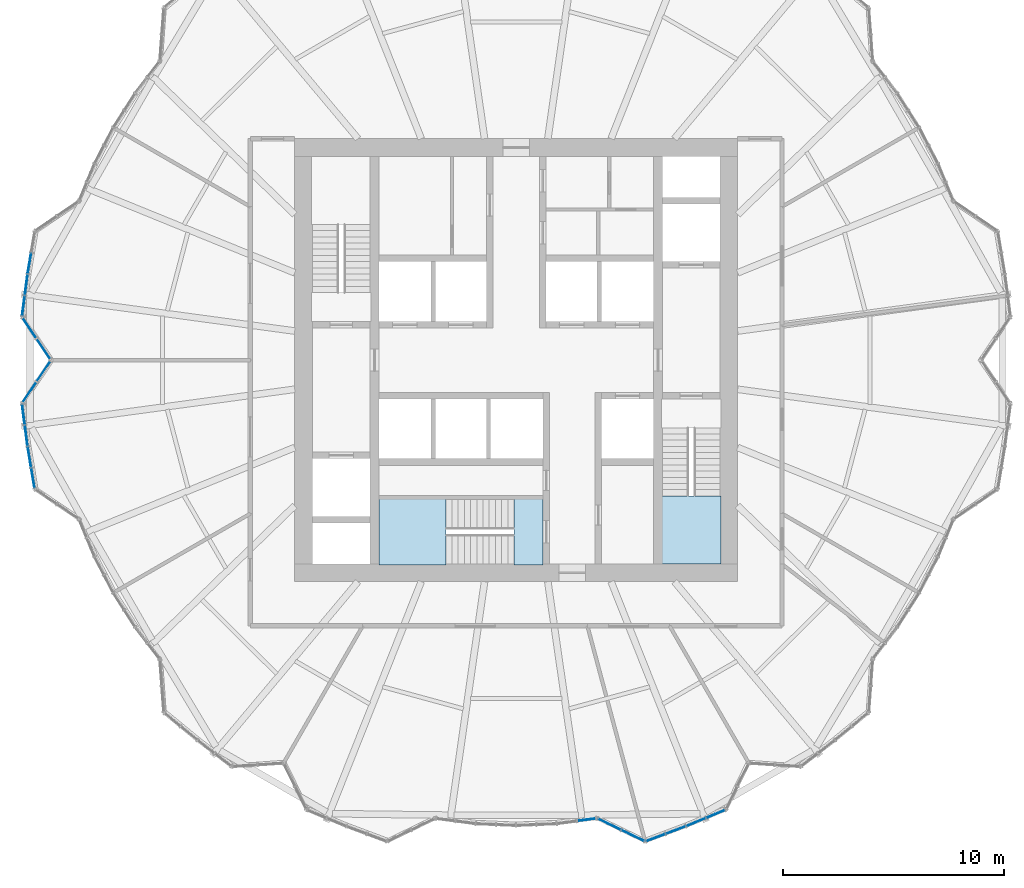
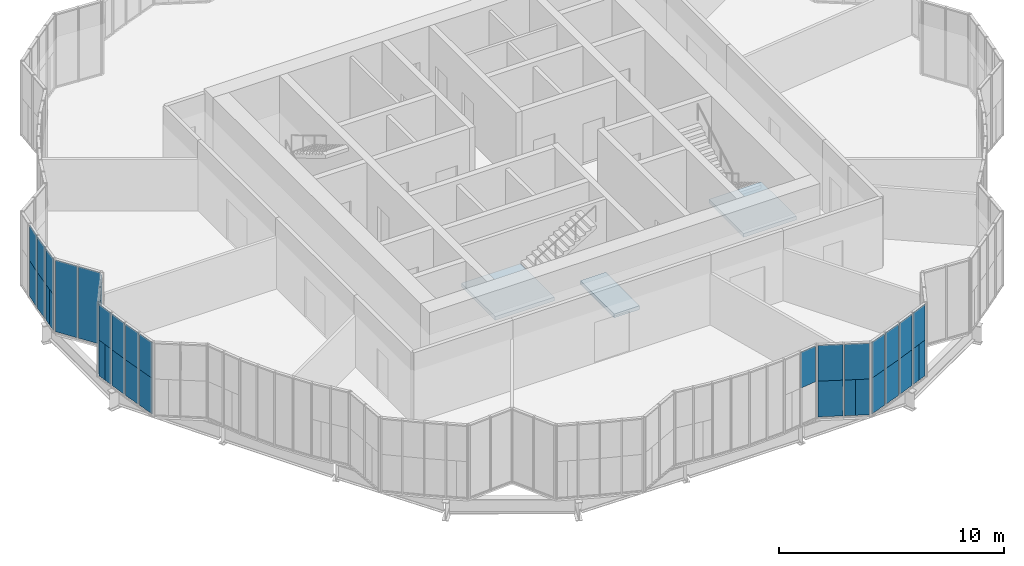
# One storey, part 13 of 22: 35 plates, 3 slabs, 12 elements without a shape of their own.
"""IFC4 building model written with IfcOpenShell, lengths in metres."""

from ifc_helpers import new_model, si_unit, direction, frame, origin, origin_2d, place, context, subcontext, project, spatial, polyline, rectangle, outline, extrude, material, layer, layer_set, type_object, element, aggregate, save


model = new_model("IFC4")

# Units and contexts
model_context = context("Model", 3, precision=1e-05, world=origin(), true_north=direction((0.0, 1.0)))
body_context = subcontext(model_context, "Body", "Model", "MODEL_VIEW")
ifc_project = project(units=[si_unit("LENGTHUNIT", "METRE"), si_unit("AREAUNIT", "SQUARE_METRE"), si_unit("VOLUMEUNIT", "CUBIC_METRE"), si_unit("PLANEANGLEUNIT", "RADIAN"), si_unit("MASSUNIT", "GRAM", prefix="KILO")], contexts=[model_context])

# Site, building, storey
site_placement = place(None, origin())
site = spatial("IfcSite", under=ifc_project, at=site_placement, CompositionType="ELEMENT")
building_placement = place(site_placement, origin())
building = spatial("IfcBuilding", under=site, at=building_placement, Name="Golbaran Civic Tower", CompositionType="ELEMENT")
storey_placement = place(building_placement, frame((0.0, 0.0, 29.0)))
storey = spatial("IfcBuildingStorey", under=building, at=storey_placement, Name="L06", CompositionType="ELEMENT", Elevation=29.0)

# Curtain wall, plates
ifc_material_1 = material(Name="Aluminium and glass", Category="aluminium")
curtain_wall_type = type_object("IfcCurtainWallType", Name="INNER SKIN CURTAIN WALL", PredefinedType="NOTDEFINED", material=ifc_material_1)
curtain_wall_1_placement = place(storey_placement, origin())
curtain_wall_1 = element("IfcCurtainWall", 1, at=curtain_wall_1_placement, inside=storey, type_object=curtain_wall_type, Name="Inner skin L06 facet 35 CW1", ObjectType="INNER SKIN", PredefinedType="USERDEFINED")
ifc_material_2 = material(Name="Clear insulating glass", Category="glass")
ifc_layer_1 = layer(ifc_material_2, 0.031982421875, Name="Clear insulating glass")
ifc_layer_set_1 = layer_set([ifc_layer_1], Name="Clear insulating glass")
plate_type_1 = type_object("IfcPlateType", Name="INNER SKIN CURTAIN WALL GLAZED PANEL", PredefinedType="CURTAIN_PANEL", material=ifc_layer_set_1)
plate_1_placement = place(storey_placement, frame((-22.275146484375, 2.2373046875, 0.06494140625), z_axis=(0.0, 0.0, 1.0), x_axis=(-0.130526192289, -0.991444861365, 0.0)))
plate_1 = element("IfcPlate", 2, at=plate_1_placement, type_object=plate_type_1, Name="CW1 panel 2.1 part 2", PredefinedType="CURTAIN_PANEL", context=body_context, shape_type="SweptSolid", body=[
    extrude(rectangle(XDim=0.445556640625, YDim=0.031982421875, at=origin_2d()), origin(), (0.0, 0.0, 1.0), 1.93505859375),
])
plate_2_placement = place(storey_placement, frame((-22.246826171875, 2.45263671875, 2.0), z_axis=(0.0, 0.0, 1.0), x_axis=(-0.130526192289, -0.991444861365, 0.0)))
plate_2 = element("IfcPlate", 3, at=plate_2_placement, type_object=plate_type_1, Name="CW1 panel 2.1 part 3", PredefinedType="CURTAIN_PANEL", context=body_context, shape_type="SweptSolid", body=[
    extrude(rectangle(XDim=0.87939453125, YDim=0.031982421875, at=origin_2d()), origin(), (0.0, 0.0, 1.0), 1.93505859375),
])

curtain_wall_2_placement = place(storey_placement, origin())
curtain_wall_2 = element("IfcCurtainWall", 4, at=curtain_wall_2_placement, inside=storey, type_object=curtain_wall_type, Name="Inner skin L06 facet 36 CW1", ObjectType="INNER SKIN", PredefinedType="USERDEFINED")
plate_3_placement = place(storey_placement, frame((-21.976806640625, 1.45068359375, 0.06494140625), z_axis=(0.0, 0.0, 1.0), x_axis=(0.556572485348, -0.830799054257, 0.0)))
plate_3 = element("IfcPlate", 5, at=plate_3_placement, type_object=plate_type_1, Name="CW1 panel 1.1", PredefinedType="CURTAIN_PANEL", context=body_context, shape_type="SweptSolid", body=[
    extrude(rectangle(XDim=1.077392578125, YDim=0.031982421875, at=origin_2d()), origin(), (0.0, 0.0, 1.0), 3.8701171875),
])
plate_4_placement = place(storey_placement, frame((-21.341064453125, 0.50146484375, 0.06494140625), z_axis=(0.0, 0.0, 1.0), x_axis=(0.556572485348, -0.830799054257, 0.0)))
plate_4 = element("IfcPlate", 6, at=plate_4_placement, type_object=plate_type_1, Name="CW1 panel 2.1", PredefinedType="CURTAIN_PANEL", context=body_context, shape_type="SweptSolid", body=[
    extrude(rectangle(XDim=1.077392578125, YDim=0.031982421875, at=origin_2d()), origin(), (0.0, 0.0, 1.0), 3.8701171875),
])
aggregate(curtain_wall_2, [plate_3, plate_4])

curtain_wall_3_placement = place(storey_placement, origin())
curtain_wall_3 = element("IfcCurtainWall", 7, at=curtain_wall_3_placement, inside=storey, type_object=curtain_wall_type, Name="Inner skin L06 facet 37 CW1", ObjectType="INNER SKIN", PredefinedType="USERDEFINED")
plate_5_placement = place(storey_placement, frame((-21.341064453125, -0.50146484375, 0.06494140625), z_axis=(0.0, 0.0, 1.0), x_axis=(-0.556572485348, -0.830799054257, 0.0)))
plate_5 = element("IfcPlate", 8, at=plate_5_placement, type_object=plate_type_1, Name="CW1 panel 1.1", PredefinedType="CURTAIN_PANEL", context=body_context, shape_type="SweptSolid", body=[
    extrude(rectangle(XDim=1.077392578125, YDim=0.031982421875, at=origin_2d()), origin(), (0.0, 0.0, 1.0), 3.8701171875),
])
plate_6_placement = place(storey_placement, frame((-21.976806640625, -1.45068359375, 0.06494140625), z_axis=(0.0, 0.0, 1.0), x_axis=(-0.556572485348, -0.830799054257, 0.0)))
plate_6 = element("IfcPlate", 9, at=plate_6_placement, type_object=plate_type_1, Name="CW1 panel 2.1", PredefinedType="CURTAIN_PANEL", context=body_context, shape_type="SweptSolid", body=[
    extrude(rectangle(XDim=1.077392578125, YDim=0.031982421875, at=origin_2d()), origin(), (0.0, 0.0, 1.0), 3.8701171875),
])
aggregate(curtain_wall_3, [plate_5, plate_6])

curtain_wall_4_placement = place(storey_placement, origin())
curtain_wall_4 = element("IfcCurtainWall", 10, at=curtain_wall_4_placement, inside=storey, type_object=curtain_wall_type, Name="Inner skin L06 facet 38 CW1", ObjectType="INNER SKIN", PredefinedType="USERDEFINED")
plate_7_placement = place(storey_placement, frame((-22.275146484375, -2.237060546875, 0.06494140625), z_axis=(0.0, 0.0, 1.0), x_axis=(0.130526192289, -0.991444861365, 0.0)))
plate_7 = element("IfcPlate", 11, at=plate_7_placement, type_object=plate_type_1, Name="CW1 panel 1.1 part 1", PredefinedType="CURTAIN_PANEL", context=body_context, shape_type="SweptSolid", body=[
    extrude(rectangle(XDim=0.445068359375, YDim=0.031982421875, at=origin_2d()), origin(), (0.0, 0.0, 1.0), 1.93505859375),
])
plate_8_placement = place(storey_placement, frame((-22.246826171875, -2.45263671875, 2.0), z_axis=(0.0, 0.0, 1.0), x_axis=(0.130526192289, -0.991444861365, 0.0)))
plate_8 = element("IfcPlate", 12, at=plate_8_placement, type_object=plate_type_1, Name="CW1 panel 1.1 part 3", PredefinedType="CURTAIN_PANEL", context=body_context, shape_type="SweptSolid", body=[
    extrude(rectangle(XDim=0.87939453125, YDim=0.031982421875, at=origin_2d()), origin(), (0.0, 0.0, 1.0), 1.93505859375),
])

# Curtain wall, plate
curtain_wall_5_placement = place(storey_placement, origin())
curtain_wall_5 = element("IfcCurtainWall", 13, at=curtain_wall_5_placement, inside=storey, type_object=curtain_wall_type, Name="Inner skin L06 facet 39 CW1", ObjectType="INNER SKIN", PredefinedType="USERDEFINED")
plate_9_placement = place(storey_placement, frame((-21.818603515625, -5.32421875, 0.06494140625), z_axis=(0.0, 0.0, 1.0), x_axis=(0.164414894066, -0.986391272574, 0.0)))
plate_9 = element("IfcPlate", 14, at=plate_9_placement, type_object=plate_type_1, Name="CW1 panel 2.1 part 1", PredefinedType="CURTAIN_PANEL", context=body_context, shape_type="SweptSolid", body=[
    extrude(rectangle(XDim=0.883056640625, YDim=0.031982421875, at=origin_2d()), origin(), (0.0, 0.0, 1.0), 1.93505859375),
])

curtain_wall_6_placement = place(storey_placement, origin())
curtain_wall_6 = element("IfcCurtainWall", 15, at=curtain_wall_6_placement, inside=storey, type_object=curtain_wall_type, Name="Inner skin L06 facet 57 CW1", ObjectType="INNER SKIN", PredefinedType="USERDEFINED")
plate_10_placement = place(storey_placement, frame((5.488525390625, -21.573486328125, 0.06494140625), z_axis=(0.0, 0.0, 1.0), x_axis=(0.900767310343, -0.434302029259, 0.0)))
plate_10 = element("IfcPlate", 16, at=plate_10_placement, type_object=plate_type_1, Name="CW1 panel 2.1 part 2", PredefinedType="CURTAIN_PANEL", context=body_context, shape_type="SweptSolid", body=[
    extrude(rectangle(XDim=0.614501953125, YDim=0.031982421875, at=origin_2d()), origin(), (0.0, 0.0, 1.0), 1.93505859375),
])

curtain_wall_7_placement = place(storey_placement, origin())
curtain_wall_7 = element("IfcCurtainWall", 17, at=curtain_wall_7_placement, inside=storey, type_object=curtain_wall_type, Name="Inner skin L06 facet 58 CW1", ObjectType="INNER SKIN", PredefinedType="USERDEFINED")
plate_11_placement = place(storey_placement, frame((6.29833984375, -21.5576171875, 0.06494140625), z_axis=(0.0, 0.0, 1.0), x_axis=(0.936447347079, 0.350808161461, 0.0)))
plate_11 = element("IfcPlate", 18, at=plate_11_placement, type_object=plate_type_1, Name="CW1 panel 1.1 part 1", PredefinedType="CURTAIN_PANEL", context=body_context, shape_type="SweptSolid", body=[
    extrude(rectangle(XDim=0.883056640625, YDim=0.031982421875, at=origin_2d()), origin(), (0.0, 0.0, 1.0), 1.93505859375),
])

# Curtain wall, plates
curtain_wall_8_placement = place(storey_placement, origin())
curtain_wall_8 = element("IfcCurtainWall", 19, at=curtain_wall_8_placement, inside=storey, type_object=curtain_wall_type, Name="Inner skin L06 facet 59 CW1", ObjectType="INNER SKIN", PredefinedType="USERDEFINED")
plate_12_placement = place(storey_placement, frame((9.199951171875, -20.40966796875, 0.06494140625), z_axis=(0.0, 0.0, 1.0), x_axis=(0.923879532551, 0.382683432268, 0.0)))
plate_12 = element("IfcPlate", 20, at=plate_12_placement, type_object=plate_type_1, Name="CW1 panel 2.1 part 2", PredefinedType="CURTAIN_PANEL", context=body_context, shape_type="SweptSolid", body=[
    extrude(rectangle(XDim=0.445556640625, YDim=0.031982421875, at=origin_2d()), origin(), (0.0, 0.0, 1.0), 1.93505859375),
])
plate_13_placement = place(storey_placement, frame((8.99951171875, -20.49267578125, 2.0), z_axis=(0.0, 0.0, 1.0), x_axis=(0.923879532551, 0.382683432268, 0.0)))
plate_13 = element("IfcPlate", 21, at=plate_13_placement, type_object=plate_type_1, Name="CW1 panel 2.1 part 3", PredefinedType="CURTAIN_PANEL", context=body_context, shape_type="SweptSolid", body=[
    extrude(rectangle(XDim=0.87939453125, YDim=0.031982421875, at=origin_2d()), origin(), (0.0, 0.0, 1.0), 1.93505859375),
])

curtain_wall_9_placement = place(storey_placement, origin())
curtain_wall_9 = element("IfcCurtainWall", 22, at=curtain_wall_9_placement, inside=storey, type_object=curtain_wall_type, Name="Inner skin L06 facet 34 CW1", ObjectType="INNER SKIN", PredefinedType="USERDEFINED")
ifc_material_3 = material(Name="Aluminium faced opaque infill panel", Category="aluminium")
ifc_layer_2 = layer(ifc_material_3, 0.031982421875, Name="Aluminium faced opaque infill panel")
ifc_layer_set_2 = layer_set([ifc_layer_2], Name="Aluminium faced opaque infill panel")
plate_type_2 = type_object("IfcPlateType", Name="INNER SKIN CURTAIN WALL OPAQUE INFILL PANEL", PredefinedType="CURTAIN_PANEL", material=ifc_layer_set_2)
plate_14_placement = place(storey_placement, frame((-21.97705078125, 4.373046875, 0.06494140625), z_axis=(0.0, 0.0, 1.0), x_axis=(-0.164414894066, -0.986391272574, 0.0)))
plate_14 = element("IfcPlate", 23, at=plate_14_placement, type_object=plate_type_2, Name="CW1 infill panel 2.1 part 1", PredefinedType="CURTAIN_PANEL", context=body_context, shape_type="SweptSolid", body=[
    extrude(rectangle(XDim=0.91552734375, YDim=0.031982421875, at=origin_2d()), origin(), (0.0, 0.0, 1.0), 1.93505859375),
])
plate_15_placement = place(storey_placement, frame((-21.97705078125, 4.373046875, 2.0), z_axis=(0.0, 0.0, 1.0), x_axis=(-0.164414894066, -0.986391272574, 0.0)))
plate_15 = element("IfcPlate", 24, at=plate_15_placement, type_object=plate_type_2, Name="CW1 infill panel 2.1 part 2", PredefinedType="CURTAIN_PANEL", context=body_context, shape_type="SweptSolid", body=[
    extrude(rectangle(XDim=0.91552734375, YDim=0.031982421875, at=origin_2d()), origin(), (0.0, 0.0, 1.0), 1.93505859375),
])
aggregate(curtain_wall_9, [plate_14, plate_15])

# Plate
plate_16_placement = place(storey_placement, frame((-22.12158203125, 3.405029296875, 0.06494140625), z_axis=(0.0, 0.0, 1.0), x_axis=(-0.130526192289, -0.991444861365, 0.0)))
plate_16 = element("IfcPlate", 25, at=plate_16_placement, type_object=plate_type_2, Name="CW1 infill panel 1.1 part 1", PredefinedType="CURTAIN_PANEL", context=body_context, shape_type="SweptSolid", body=[
    extrude(rectangle(XDim=0.911865234375, YDim=0.031982421875, at=origin_2d()), origin(), (0.0, 0.0, 1.0), 1.93505859375),
])

plate_17_placement = place(storey_placement, frame((-22.12158203125, 3.405029296875, 2.0), z_axis=(0.0, 0.0, 1.0), x_axis=(-0.130526192289, -0.991444861365, 0.0)))
plate_17 = element("IfcPlate", 26, at=plate_17_placement, type_object=plate_type_2, Name="CW1 infill panel 1.1 part 2", PredefinedType="CURTAIN_PANEL", context=body_context, shape_type="SweptSolid", body=[
    extrude(rectangle(XDim=0.911865234375, YDim=0.031982421875, at=origin_2d()), origin(), (0.0, 0.0, 1.0), 1.93505859375),
])

plate_18_placement = place(storey_placement, frame((-22.2177734375, 2.67333984375, 0.06494140625), z_axis=(0.0, 0.0, 1.0), x_axis=(-0.130526192289, -0.991444861365, 0.0)))
plate_18 = element("IfcPlate", 27, at=plate_18_placement, type_object=plate_type_2, Name="CW1 infill panel 2.1 part 1", PredefinedType="CURTAIN_PANEL", context=body_context, shape_type="SweptSolid", body=[
    extrude(rectangle(XDim=0.43408203125, YDim=0.031982421875, at=origin_2d()), origin(), (0.0, 0.0, 1.0), 1.93505859375),
])

aggregate(curtain_wall_1, [plate_16, plate_17, plate_18, plate_1, plate_2])

plate_19_placement = place(storey_placement, frame((-22.2177734375, -2.673095703125, 0.06494140625), z_axis=(0.0, 0.0, 1.0), x_axis=(0.130526192289, -0.991444861365, 0.0)))
plate_19 = element("IfcPlate", 28, at=plate_19_placement, type_object=plate_type_2, Name="CW1 infill panel 1.1 part 2", PredefinedType="CURTAIN_PANEL", context=body_context, shape_type="SweptSolid", body=[
    extrude(rectangle(XDim=0.4345703125, YDim=0.031982421875, at=origin_2d()), origin(), (0.0, 0.0, 1.0), 1.93505859375),
])

plate_20_placement = place(storey_placement, frame((-22.12158203125, -3.405029296875, 0.06494140625), z_axis=(0.0, 0.0, 1.0), x_axis=(0.130526192289, -0.991444861365, 0.0)))
plate_20 = element("IfcPlate", 29, at=plate_20_placement, type_object=plate_type_2, Name="CW1 infill panel 2.1 part 1", PredefinedType="CURTAIN_PANEL", context=body_context, shape_type="SweptSolid", body=[
    extrude(rectangle(XDim=0.911865234375, YDim=0.031982421875, at=origin_2d()), origin(), (0.0, 0.0, 1.0), 1.93505859375),
])

plate_21_placement = place(storey_placement, frame((-22.12158203125, -3.405029296875, 2.0), z_axis=(0.0, 0.0, 1.0), x_axis=(0.130526192289, -0.991444861365, 0.0)))
plate_21 = element("IfcPlate", 30, at=plate_21_placement, type_object=plate_type_2, Name="CW1 infill panel 2.1 part 2", PredefinedType="CURTAIN_PANEL", context=body_context, shape_type="SweptSolid", body=[
    extrude(rectangle(XDim=0.911865234375, YDim=0.031982421875, at=origin_2d()), origin(), (0.0, 0.0, 1.0), 1.93505859375),
])

aggregate(curtain_wall_4, [plate_7, plate_19, plate_8, plate_20, plate_21])

plate_22_placement = place(storey_placement, frame((-21.97705078125, -4.373046875, 0.06494140625), z_axis=(0.0, 0.0, 1.0), x_axis=(0.164414894066, -0.986391272574, 0.0)))
plate_22 = element("IfcPlate", 31, at=plate_22_placement, type_object=plate_type_2, Name="CW1 infill panel 1.1 part 1", PredefinedType="CURTAIN_PANEL", context=body_context, shape_type="SweptSolid", body=[
    extrude(rectangle(XDim=0.91552734375, YDim=0.031982421875, at=origin_2d()), origin(), (0.0, 0.0, 1.0), 1.93505859375),
])

plate_23_placement = place(storey_placement, frame((-21.97705078125, -4.373046875, 2.0), z_axis=(0.0, 0.0, 1.0), x_axis=(0.164414894066, -0.986391272574, 0.0)))
plate_23 = element("IfcPlate", 32, at=plate_23_placement, type_object=plate_type_2, Name="CW1 infill panel 1.1 part 2", PredefinedType="CURTAIN_PANEL", context=body_context, shape_type="SweptSolid", body=[
    extrude(rectangle(XDim=0.91552734375, YDim=0.031982421875, at=origin_2d()), origin(), (0.0, 0.0, 1.0), 1.93505859375),
])

plate_24_placement = place(storey_placement, frame((-21.818603515625, -5.32421875, 2.0), z_axis=(0.0, 0.0, 1.0), x_axis=(0.164414894066, -0.986391272574, 0.0)))
plate_24 = element("IfcPlate", 33, at=plate_24_placement, type_object=plate_type_2, Name="CW1 infill panel 2.1 part 2", PredefinedType="CURTAIN_PANEL", context=body_context, shape_type="SweptSolid", body=[
    extrude(rectangle(XDim=0.883056640625, YDim=0.031982421875, at=origin_2d()), origin(), (0.0, 0.0, 1.0), 1.93505859375),
])

aggregate(curtain_wall_5, [plate_22, plate_23, plate_9, plate_24])

# Curtain wall, plate
curtain_wall_10_placement = place(storey_placement, origin())
curtain_wall_10 = element("IfcCurtainWall", 34, at=curtain_wall_10_placement, inside=storey, type_object=curtain_wall_type, Name="Inner skin L06 facet 56 CW1", ObjectType="INNER SKIN", PredefinedType="USERDEFINED")
plate_25_placement = place(storey_placement, frame((3.17724609375, -20.747802734375, 2.0), z_axis=(0.0, 0.0, 1.0), x_axis=(0.991444861406, 0.130526191978, 0.0)))
plate_25 = element("IfcPlate", 35, at=plate_25_placement, type_object=plate_type_2, Name="CW1 infill panel 2.1 part 2", PredefinedType="CURTAIN_PANEL", context=body_context, shape_type="SweptSolid", body=[
    extrude(rectangle(XDim=0.818603515625, YDim=0.031982421875, at=origin_2d()), origin(), (0.0, 0.0, 1.0), 1.93505859375),
])
aggregate(curtain_wall_10, [plate_25])

# Plate
plate_26_placement = place(storey_placement, frame((4.206298828125, -20.955322265625, 0.06494140625), z_axis=(0.0, 0.0, 1.0), x_axis=(0.900767310343, -0.434302029259, 0.0)))
plate_26 = element("IfcPlate", 36, at=plate_26_placement, type_object=plate_type_2, Name="CW1 infill panel 1.1 part 1", PredefinedType="CURTAIN_PANEL", context=body_context, shape_type="SweptSolid", body=[
    extrude(rectangle(XDim=1.110595703125, YDim=0.031982421875, at=origin_2d()), origin(), (0.0, 0.0, 1.0), 1.93505859375),
])

plate_27_placement = place(storey_placement, frame((4.206298828125, -20.955322265625, 2.0), z_axis=(0.0, 0.0, 1.0), x_axis=(0.900767310343, -0.434302029259, 0.0)))
plate_27 = element("IfcPlate", 37, at=plate_27_placement, type_object=plate_type_2, Name="CW1 infill panel 1.1 part 2", PredefinedType="CURTAIN_PANEL", context=body_context, shape_type="SweptSolid", body=[
    extrude(rectangle(XDim=1.110595703125, YDim=0.031982421875, at=origin_2d()), origin(), (0.0, 0.0, 1.0), 1.93505859375),
])

plate_28_placement = place(storey_placement, frame((4.98828125, -21.332275390625, 0.06494140625), z_axis=(0.0, 0.0, 1.0), x_axis=(0.900767310343, -0.434302029259, 0.0)))
plate_28 = element("IfcPlate", 38, at=plate_28_placement, type_object=plate_type_2, Name="CW1 infill panel 2.1 part 1", PredefinedType="CURTAIN_PANEL", context=body_context, shape_type="SweptSolid", body=[
    extrude(rectangle(XDim=0.49609375, YDim=0.031982421875, at=origin_2d()), origin(), (0.0, 0.0, 1.0), 1.93505859375),
])

plate_29_placement = place(storey_placement, frame((5.26513671875, -21.4658203125, 2.0), z_axis=(0.0, 0.0, 1.0), x_axis=(0.900767310343, -0.434302029259, 0.0)))
plate_29 = element("IfcPlate", 39, at=plate_29_placement, type_object=plate_type_2, Name="CW1 infill panel 2.1 part 3", PredefinedType="CURTAIN_PANEL", context=body_context, shape_type="SweptSolid", body=[
    extrude(rectangle(XDim=1.110595703125, YDim=0.031982421875, at=origin_2d()), origin(), (0.0, 0.0, 1.0), 1.93505859375),
])

aggregate(curtain_wall_6, [plate_26, plate_27, plate_28, plate_10, plate_29])

plate_30_placement = place(storey_placement, frame((6.29833984375, -21.5576171875, 2.0), z_axis=(0.0, 0.0, 1.0), x_axis=(0.936447347079, 0.350808161461, 0.0)))
plate_30 = element("IfcPlate", 40, at=plate_30_placement, type_object=plate_type_2, Name="CW1 infill panel 1.1 part 2", PredefinedType="CURTAIN_PANEL", context=body_context, shape_type="SweptSolid", body=[
    extrude(rectangle(XDim=0.883056640625, YDim=0.031982421875, at=origin_2d()), origin(), (0.0, 0.0, 1.0), 1.93505859375),
])

plate_31_placement = place(storey_placement, frame((7.201416015625, -21.21923828125, 0.06494140625), z_axis=(0.0, 0.0, 1.0), x_axis=(0.936447347079, 0.350808161461, 0.0)))
plate_31 = element("IfcPlate", 41, at=plate_31_placement, type_object=plate_type_2, Name="CW1 infill panel 2.1 part 1", PredefinedType="CURTAIN_PANEL", context=body_context, shape_type="SweptSolid", body=[
    extrude(rectangle(XDim=0.91552734375, YDim=0.031982421875, at=origin_2d()), origin(), (0.0, 0.0, 1.0), 1.93505859375),
])

plate_32_placement = place(storey_placement, frame((7.201416015625, -21.21923828125, 2.0), z_axis=(0.0, 0.0, 1.0), x_axis=(0.936447347079, 0.350808161461, 0.0)))
plate_32 = element("IfcPlate", 42, at=plate_32_placement, type_object=plate_type_2, Name="CW1 infill panel 2.1 part 2", PredefinedType="CURTAIN_PANEL", context=body_context, shape_type="SweptSolid", body=[
    extrude(rectangle(XDim=0.91552734375, YDim=0.031982421875, at=origin_2d()), origin(), (0.0, 0.0, 1.0), 1.93505859375),
])

aggregate(curtain_wall_7, [plate_11, plate_30, plate_31, plate_32])

plate_33_placement = place(storey_placement, frame((8.11181640625, -20.8603515625, 0.06494140625), z_axis=(0.0, 0.0, 1.0), x_axis=(0.923879532551, 0.382683432268, 0.0)))
plate_33 = element("IfcPlate", 43, at=plate_33_placement, type_object=plate_type_2, Name="CW1 infill panel 1.1 part 1", PredefinedType="CURTAIN_PANEL", context=body_context, shape_type="SweptSolid", body=[
    extrude(rectangle(XDim=0.911865234375, YDim=0.031982421875, at=origin_2d()), origin(), (0.0, 0.0, 1.0), 1.93505859375),
])

plate_34_placement = place(storey_placement, frame((8.11181640625, -20.8603515625, 2.0), z_axis=(0.0, 0.0, 1.0), x_axis=(0.923879532551, 0.382683432268, 0.0)))
plate_34 = element("IfcPlate", 44, at=plate_34_placement, type_object=plate_type_2, Name="CW1 infill panel 1.1 part 2", PredefinedType="CURTAIN_PANEL", context=body_context, shape_type="SweptSolid", body=[
    extrude(rectangle(XDim=0.911865234375, YDim=0.031982421875, at=origin_2d()), origin(), (0.0, 0.0, 1.0), 1.93505859375),
])

plate_35_placement = place(storey_placement, frame((8.793701171875, -20.577880859375, 0.06494140625), z_axis=(0.0, 0.0, 1.0), x_axis=(0.923879532551, 0.382683432268, 0.0)))
plate_35 = element("IfcPlate", 45, at=plate_35_placement, type_object=plate_type_2, Name="CW1 infill panel 2.1 part 1", PredefinedType="CURTAIN_PANEL", context=body_context, shape_type="SweptSolid", body=[
    extrude(rectangle(XDim=0.43408203125, YDim=0.031982421875, at=origin_2d()), origin(), (0.0, 0.0, 1.0), 1.93505859375),
])

aggregate(curtain_wall_8, [plate_33, plate_34, plate_35, plate_12, plate_13])

# Stair, slab
ifc_material_4 = material(Name="Concrete C35/45", Category="concrete")
stair_type_1 = type_object("IfcStairType", Name="EXIT STAIR 2600 x 7450, 4000 RISE", PredefinedType="HALF_TURN_STAIR", material=ifc_material_4)
stair_1_placement = place(storey_placement, origin())
stair_1 = element("IfcStair", 46, at=stair_1_placement, inside=storey, type_object=stair_type_1, Name="Stair S2 L06", PredefinedType="HALF_TURN_STAIR")
ifc_layer_3 = layer(ifc_material_4, 0.199951171875, Name="Concrete C35/45")
ifc_layer_set_3 = layer_set([ifc_layer_3], Name="Concrete C35/45")
slab_type = type_object("IfcSlabType", Name="STAIR LANDING 200", PredefinedType="LANDING", material=ifc_layer_set_3)
slab_1_placement = place(storey_placement, frame((0.0, 0.0, 1.800048828125)))
slab_1 = element("IfcSlab", 47, at=slab_1_placement, type_object=slab_type, Name="ST26074-40 landing 1", PredefinedType="LANDING", context=body_context, shape_type="SweptSolid", body=[
    extrude(outline(polyline([(9.25, -6.125), (9.25, -9.199951171875), (6.550048828125, -9.199951171875), (6.550048828125, -6.125), (9.25, -6.125)])), origin(), (0.0, 0.0, 1.0), 0.199951171875),
])
aggregate(stair_1, [slab_1])

stair_type_2 = type_object("IfcStairType", Name="EXIT STAIR 2900 x 7400, 4000 RISE", PredefinedType="HALF_TURN_STAIR", material=ifc_material_4)
stair_2_placement = place(storey_placement, origin())
stair_2 = element("IfcStair", 48, at=stair_2_placement, inside=storey, type_object=stair_type_2, Name="Stair S3 L06", PredefinedType="HALF_TURN_STAIR")
slab_2_placement = place(storey_placement, frame((0.0, 0.0, 1.800048828125)))
slab_2 = element("IfcSlab", 49, at=slab_2_placement, type_object=slab_type, Name="ST29074-40 landing 1", PredefinedType="LANDING", context=body_context, shape_type="SweptSolid", body=[
    extrude(outline(polyline([(-3.175048828125, -9.25), (-6.199951171875, -9.25), (-6.199951171875, -6.25), (-3.175048828125, -6.25), (-3.175048828125, -9.25)])), origin(), (0.0, 0.0, 1.0), 0.199951171875),
])
aggregate(stair_2, [slab_2])

# Slab
slab_3_placement = place(storey_placement, frame((0.0, 0.0, -0.199951171875)))
element("IfcSlab", 50, at=slab_3_placement, inside=storey, type_object=slab_type, Name="Stair S3 floor landing L06", PredefinedType="LANDING", context=body_context, shape_type="SweptSolid", body=[
    extrude(outline(polyline([(1.199951171875, -9.25), (-0.10498046875, -9.25), (-0.10498046875, -6.25), (1.199951171875, -6.25), (1.199951171875, -9.25)])), origin(), (0.0, 0.0, 1.0), 0.199951171875),
])

save(model, "model.ifc")
